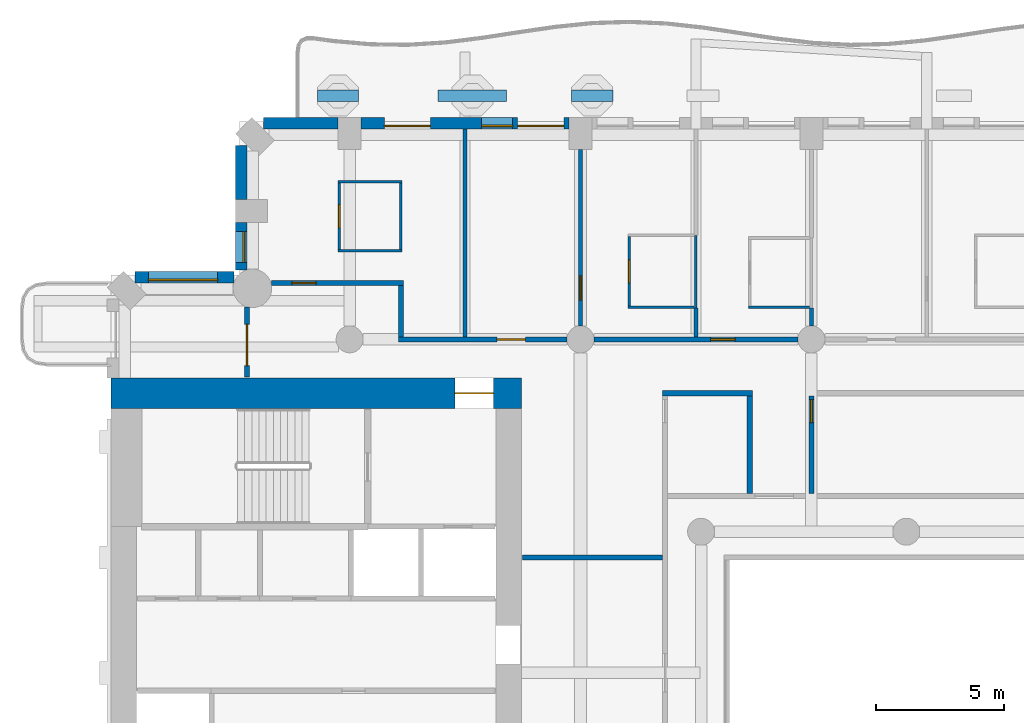
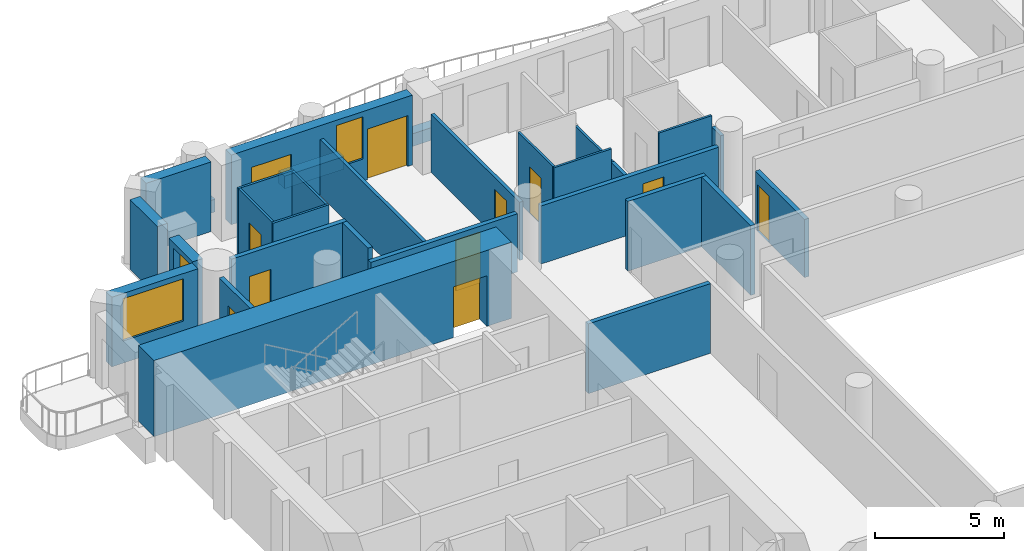
# One storey, part 8 of 20: 30 walls, 11 doors, 3 windows, 14 openings.
"""IFC4 building model written with IfcOpenShell, lengths in metres."""

from ifc_helpers import new_model, si_unit, direction, frame, frame_2d, origin, place, context, subcontext, project, spatial, rectangle, extrude, material, layer, layer_set, type_object, element, fill, save


model = new_model("IFC4")

# Units and contexts
model_context = context("Model", 3, precision=1e-05, world=origin(), true_north=direction((0.0, 1.0)))
body_context = subcontext(model_context, "Body", "Model", "MODEL_VIEW")
ifc_project = project(units=[si_unit("LENGTHUNIT", "METRE"), si_unit("AREAUNIT", "SQUARE_METRE"), si_unit("VOLUMEUNIT", "CUBIC_METRE"), si_unit("PLANEANGLEUNIT", "RADIAN"), si_unit("MASSUNIT", "GRAM", prefix="KILO")], contexts=[model_context])

# Site, building, storey
site_placement = place(None, origin())
site = spatial("IfcSite", under=ifc_project, at=site_placement, CompositionType="ELEMENT")
building_placement = place(site_placement, origin())
building = spatial("IfcBuilding", under=site, at=building_placement, Name="Cypress Arch Tower", CompositionType="ELEMENT")
storey_placement = place(building_placement, frame((0.0, 0.0, 116.699951171875)))
storey = spatial("IfcBuildingStorey", under=building, at=storey_placement, Name="L24", CompositionType="ELEMENT", Elevation=116.699951171875)

# Walls
ifc_material_1 = material(Name="Concrete C40/50, waterproofed", Category="concrete")
ifc_layer_1 = layer(ifc_material_1, 0.449951171875)
ifc_layer_set_1 = layer_set([ifc_layer_1], Name="Balcony planter wall PW450")
wall_type_1 = type_object("IfcWallType", Name="Balcony planter wall PW450", PredefinedType="SOLIDWALL", material=ifc_layer_set_1)
wall_1_placement = place(storey_placement, frame((-10.4375, 27.0, 0.0), z_axis=(0.0, 0.0, 1.0), x_axis=(-1.0, 0.0, 0.0)))
element("IfcWall", 1, at=wall_1_placement, inside=storey, type_object=wall_type_1, Name="Balcony planter wall L24-A08.4", PredefinedType="SOLIDWALL", context=body_context, shape_type="SweptSolid", body=[
    extrude(rectangle(XDim=1.612548828125, YDim=0.449951171875, at=frame_2d((0.80615234375, 0.0))), origin(), (0.0, 0.0, 1.0), 0.60009765625),
])
wall_2_placement = place(storey_placement, frame((-14.574951171875, 27.0, 0.0), z_axis=(0.0, 0.0, 1.0), x_axis=(-1.0, 0.0, 0.0)))
element("IfcWall", 2, at=wall_2_placement, inside=storey, type_object=wall_type_1, Name="Balcony planter wall L24-A08.5", PredefinedType="SOLIDWALL", context=body_context, shape_type="SweptSolid", body=[
    extrude(rectangle(XDim=2.675048828125, YDim=0.449951171875, at=frame_2d((1.33740234375, 0.0))), origin(), (0.0, 0.0, 1.0), 0.60009765625),
])
wall_3_placement = place(storey_placement, frame((-20.35009765625, 27.0, 0.0), z_axis=(0.0, 0.0, 1.0), x_axis=(-1.0, 0.0, 0.0)))
element("IfcWall", 3, at=wall_3_placement, inside=storey, type_object=wall_type_1, Name="Balcony planter wall L24-A08.6", PredefinedType="SOLIDWALL", context=body_context, shape_type="SweptSolid", body=[
    extrude(rectangle(XDim=1.599853515625, YDim=0.449951171875, at=frame_2d((0.7998046875, 0.0))), origin(), (0.0, 0.0, 1.0), 0.60009765625),
])

# Wall, openings, doors, window
ifc_material_2 = material(Name="Brick (red buff blend)", Category="masonry")
ifc_layer_2 = layer(ifc_material_2, 0.449951171875)
ifc_layer_set_2 = layer_set([ifc_layer_2], Name="Brick pier and spandrel wall BW450")
wall_type_2 = type_object("IfcWallType", Name="Brick pier and spandrel wall BW450", PredefinedType="SOLIDWALL", material=ifc_layer_set_2)
wall_4_placement = place(storey_placement, frame((-12.14990234375, 25.925048828125, 0.0), z_axis=(0.0, 0.0, 1.0), x_axis=(-1.0, 0.0, 0.0)))
wall_4 = element("IfcWall", 4, at=wall_4_placement, inside=storey, type_object=wall_type_2, Name="Brick wall L24 A08.3", PredefinedType="SOLIDWALL", context=body_context, shape_type="SweptSolid", body=[
    extrude(rectangle(XDim=8.10009765625, YDim=0.449951171875, at=frame_2d((4.050048828125, 0.0))), origin(), (0.0, 0.0, 1.0), 3.300048828125),
])
opening_1_placement = place(wall_4_placement, frame((0.199951171875, 0.0, 0.0)))
opening_1 = element("IfcOpeningElement", 5, at=opening_1_placement, cuts=wall_4, Name="Opening D-L24-A08.3.1", PredefinedType="OPENING", context=body_context, shape_type="SweptSolid", body=[
    extrude(rectangle(XDim=1.800048828125, YDim=2.39990234375, at=frame_2d((0.89990234375, 1.199951171875))), frame((0.0, 0.23486328125, 0.0), z_axis=(0.0, -1.0, 0.0), x_axis=(1.0, 0.0, 0.0)), (0.0, 0.0, 1.0), 0.469970703125),
])
opening_2_placement = place(wall_4_placement, frame((2.199951171875, 0.0, 1.050048828125)))
opening_2 = element("IfcOpeningElement", 6, at=opening_2_placement, cuts=wall_4, Name="Opening W120HD", PredefinedType="OPENING", context=body_context, shape_type="SweptSolid", body=[
    extrude(rectangle(XDim=1.199951171875, YDim=2.0, at=frame_2d((0.60009765625, 1.0))), frame((0.0, 0.23486328125, 0.0), z_axis=(0.0, -1.0, 0.0), x_axis=(1.0, 0.0, 0.0)), (0.0, 0.0, 1.0), 0.469970703125),
])
opening_3_placement = place(wall_4_placement, frame((5.39990234375, 0.0, 0.0)))
opening_3 = element("IfcOpeningElement", 7, at=opening_3_placement, cuts=wall_4, Name="Opening D-L24-A08.3.2", PredefinedType="OPENING", context=body_context, shape_type="SweptSolid", body=[
    extrude(rectangle(XDim=1.800048828125, YDim=2.39990234375, at=frame_2d((0.89990234375, 1.199951171875))), frame((0.0, 0.23486328125, 0.0), z_axis=(0.0, -1.0, 0.0), x_axis=(1.0, 0.0, 0.0)), (0.0, 0.0, 1.0), 0.469970703125),
])
ifc_material_3 = material(Name="Anodised aluminium, bronze finish, laminated low-emissivity double glazing, large-missile impact rated", Category="aluminium")
door_type_1 = type_object("IfcDoorType", Name="Balcony sliding door 1800x2400", OperationType="SLIDING_TO_LEFT", PredefinedType="DOOR", material=ifc_material_3)
door_1_placement = place(opening_1_placement, origin())
door_1 = element("IfcDoor", 8, at=door_1_placement, inside=storey, type_object=door_type_1, Name="Balcony door L24 A08.3.1", OperationType="SLIDING_TO_LEFT", OverallHeight=2.39990234375, OverallWidth=1.800048828125, PredefinedType="DOOR", context=body_context, shape_type="SweptSolid", body=[
    extrude(rectangle(XDim=1.800048828125, YDim=2.39990234375, at=frame_2d((0.89990234375, 1.199951171875))), frame((0.0, 0.1298828125, 0.0), z_axis=(0.0, -1.0, 0.0), x_axis=(1.0, 0.0, 0.0)), (0.0, 0.0, 1.0), 0.050048828125),
])
fill(opening_1, door_1)
door_2_placement = place(opening_3_placement, origin())
door_2 = element("IfcDoor", 9, at=door_2_placement, inside=storey, type_object=door_type_1, Name="Balcony door L24 A08.3.2", OperationType="SLIDING_TO_LEFT", OverallHeight=2.39990234375, OverallWidth=1.800048828125, PredefinedType="DOOR", context=body_context, shape_type="SweptSolid", body=[
    extrude(rectangle(XDim=1.800048828125, YDim=2.39990234375, at=frame_2d((0.89990234375, 1.199951171875))), frame((0.0, 0.1298828125, 0.0), z_axis=(0.0, -1.0, 0.0), x_axis=(1.0, 0.0, 0.0)), (0.0, 0.0, 1.0), 0.050048828125),
])
fill(opening_3, door_2)
ifc_material_4 = material(Name="Anodised aluminium, bronze finish, laminated low-emissivity double glazing, large-missile impact rated", Category="aluminium")
window_type_1 = type_object("IfcWindowType", Name="Window Hotel 1200x2000 debris-rated", PartitioningType="SINGLE_PANEL", PredefinedType="WINDOW", material=ifc_material_4)
window_1_placement = place(opening_2_placement, origin())
window_1 = element("IfcWindow", 10, at=window_1_placement, inside=storey, type_object=window_type_1, Name="Window L24 A08.3.1", OverallHeight=2.0, OverallWidth=1.199951171875, PartitioningType="SINGLE_PANEL", PredefinedType="WINDOW", context=body_context, shape_type="SweptSolid", body=[
    extrude(rectangle(XDim=1.199951171875, YDim=2.0, at=frame_2d((0.60009765625, 1.0))), frame((0.0, 0.135009765625, 0.0), z_axis=(0.0, -1.0, 0.0), x_axis=(1.0, 0.0, 0.0)), (0.0, 0.0, 1.0), 0.06005859375),
])
fill(opening_2, window_1)

# Walls
wall_5_placement = place(storey_placement, frame((-21.14990234375, 25.925048828125, 0.0), z_axis=(0.0, 0.0, 1.0), x_axis=(-1.0, 0.0, 0.0)))
element("IfcWall", 11, at=wall_5_placement, inside=storey, type_object=wall_type_2, Name="Brick wall L24 A08.4", PredefinedType="SOLIDWALL", context=body_context, shape_type="SweptSolid", body=[
    extrude(rectangle(XDim=2.913818359375, YDim=0.449951171875, at=frame_2d((1.45703125, 0.0))), origin(), (0.0, 0.0, 1.0), 3.300048828125),
])
wall_6_placement = place(storey_placement, frame((-24.925048828125, 25.063720703125, 0.0), z_axis=(0.0, 0.0, 1.0), x_axis=(0.0, -1.0, 0.0)))
element("IfcWall", 12, at=wall_6_placement, inside=storey, type_object=wall_type_2, Name="Brick wall L24 A09.0", PredefinedType="SOLIDWALL", context=body_context, shape_type="SweptSolid", body=[
    extrude(rectangle(XDim=2.11376953125, YDim=0.449951171875, at=frame_2d((1.056884765625, 0.0))), origin(), (0.0, 0.0, 1.0), 3.300048828125),
])

# Wall, opening, window
wall_7_placement = place(storey_placement, frame((-24.925048828125, 22.050048828125, 0.0), z_axis=(0.0, 0.0, 1.0), x_axis=(0.0, -1.0, 0.0)))
wall_7 = element("IfcWall", 13, at=wall_7_placement, inside=storey, type_object=wall_type_2, Name="Brick wall L24 A09.1", PredefinedType="SOLIDWALL", context=body_context, shape_type="SweptSolid", body=[
    extrude(rectangle(XDim=1.843017578125, YDim=0.449951171875, at=frame_2d((0.92138671875, 0.0))), origin(), (0.0, 0.0, 1.0), 3.300048828125),
])
opening_4_placement = place(wall_7_placement, frame((0.35009765625, 0.0, 1.050048828125)))
opening_4 = element("IfcOpeningElement", 14, at=opening_4_placement, cuts=wall_7, Name="Opening W120H", PredefinedType="OPENING", context=body_context, shape_type="SweptSolid", body=[
    extrude(rectangle(XDim=1.199951171875, YDim=2.0, at=frame_2d((0.60009765625, 1.0))), frame((0.0, 0.23486328125, 0.0), z_axis=(0.0, -1.0, 0.0), x_axis=(1.0, 0.0, 0.0)), (0.0, 0.0, 1.0), 0.469970703125),
])
ifc_material_5 = material(Name="Anodised aluminium, bronze finish, clear low-emissivity double glazing", Category="aluminium")
window_type_2 = type_object("IfcWindowType", Name="Window Hotel 1200x2000", PartitioningType="SINGLE_PANEL", PredefinedType="WINDOW", material=ifc_material_5)
window_2_placement = place(opening_4_placement, origin())
window_2 = element("IfcWindow", 15, at=window_2_placement, inside=storey, type_object=window_type_2, Name="Window L24 A09.1.1", OverallHeight=2.0, OverallWidth=1.199951171875, PartitioningType="SINGLE_PANEL", PredefinedType="WINDOW", context=body_context, shape_type="SweptSolid", body=[
    extrude(rectangle(XDim=1.199951171875, YDim=2.0, at=frame_2d((0.60009765625, 1.0))), frame((0.0, 0.135009765625, 0.0), z_axis=(0.0, -1.0, 0.0), x_axis=(1.0, 0.0, 0.0)), (0.0, 0.0, 1.0), 0.06005859375),
])
fill(opening_4, window_2)

wall_8_placement = place(storey_placement, frame((-25.20703125, 19.925048828125, 0.0), z_axis=(0.0, 0.0, 1.0), x_axis=(-1.0, 0.0, 0.0)))
wall_8 = element("IfcWall", 16, at=wall_8_placement, inside=storey, type_object=wall_type_2, Name="Brick wall L24 A10.0", PredefinedType="SOLIDWALL", context=body_context, shape_type="SweptSolid", body=[
    extrude(rectangle(XDim=3.856689453125, YDim=0.449951171875, at=frame_2d((1.92822265625, 0.0))), origin(), (0.0, 0.0, 1.0), 3.300048828125),
])
opening_5_placement = place(wall_8_placement, frame((0.64306640625, 0.0, 1.050048828125)))
opening_5 = element("IfcOpeningElement", 17, at=opening_5_placement, cuts=wall_8, Name="Opening W270H", PredefinedType="OPENING", context=body_context, shape_type="SweptSolid", body=[
    extrude(rectangle(XDim=2.699951171875, YDim=2.0, at=frame_2d((1.35009765625, 1.0))), frame((0.0, 0.23486328125, 0.0), z_axis=(0.0, -1.0, 0.0), x_axis=(1.0, 0.0, 0.0)), (0.0, 0.0, 1.0), 0.469970703125),
])
ifc_material_6 = material(Name="Anodised aluminium, bronze finish, clear low-emissivity double glazing", Category="aluminium")
window_type_3 = type_object("IfcWindowType", Name="Window Hotel 2700x2000", PartitioningType="SINGLE_PANEL", PredefinedType="WINDOW", material=ifc_material_6)
window_3_placement = place(opening_5_placement, origin())
window_3 = element("IfcWindow", 18, at=window_3_placement, inside=storey, type_object=window_type_3, Name="Window L24 A10.0.1", OverallHeight=2.0, OverallWidth=2.699951171875, PartitioningType="SINGLE_PANEL", PredefinedType="WINDOW", context=body_context, shape_type="SweptSolid", body=[
    extrude(rectangle(XDim=2.699951171875, YDim=2.0, at=frame_2d((1.35009765625, 1.0))), frame((0.0, 0.135009765625, 0.0), z_axis=(0.0, -1.0, 0.0), x_axis=(1.0, 0.0, 0.0)), (0.0, 0.0, 1.0), 0.06005859375),
])
fill(opening_5, window_3)

# Wall, opening, door
ifc_material_7 = material(Name="Concrete C80/95", Category="concrete")
ifc_layer_3 = layer(ifc_material_7, 1.199951171875)
ifc_layer_set_3 = layer_set([ifc_layer_3], Name="Core wall CW1200 C80/95")
wall_type_3 = type_object("IfcWallType", Name="Core wall CW1200 C80/95", PredefinedType="SHEAR", material=ifc_layer_set_3)
wall_9_placement = place(storey_placement, frame((-30.0, 15.39990234375, 0.0), z_axis=(0.0, 0.0, 1.0), x_axis=(1.0, 0.0, 0.0)))
wall_9 = element("IfcWall", 19, at=wall_9_placement, inside=storey, type_object=wall_type_3, Name="Core wall", PredefinedType="SHEAR", context=body_context, shape_type="SweptSolid", body=[
    extrude(rectangle(XDim=16.0, YDim=1.199951171875, at=frame_2d((8.0, 0.0))), origin(), (0.0, 0.0, 1.0), 3.60009765625),
])
opening_6_placement = place(wall_9_placement, frame((13.39990234375, 0.0, 0.0)))
opening_6 = element("IfcOpeningElement", 20, at=opening_6_placement, cuts=wall_9, Name="Opening D07", PredefinedType="OPENING", context=body_context, shape_type="SweptSolid", body=[
    extrude(rectangle(XDim=1.5, YDim=2.39990234375, at=frame_2d((0.75, 1.199951171875))), frame((0.0, 0.60986328125, 0.0), z_axis=(0.0, -1.0, 0.0), x_axis=(1.0, 0.0, 0.0)), (0.0, 0.0, 1.0), 1.219970703125),
])
ifc_material_8 = material(Name="Steel framed glazed door, fire resisting", Category="steel")
door_type_2 = type_object("IfcDoorType", Name="Lobby door D07 1500x2400", OperationType="DOUBLE_DOOR_SINGLE_SWING", PredefinedType="DOOR", material=ifc_material_8)
door_3_placement = place(opening_6_placement, origin())
door_3 = element("IfcDoor", 21, at=door_3_placement, inside=storey, type_object=door_type_2, Name="Lobby door", OperationType="DOUBLE_DOOR_SINGLE_SWING", OverallHeight=2.39990234375, OverallWidth=1.5, PredefinedType="DOOR", context=body_context, shape_type="SweptSolid", body=[
    extrude(rectangle(XDim=1.5, YDim=2.39990234375, at=frame_2d((0.75, 1.199951171875))), frame((0.0, 0.02490234375, 0.0), z_axis=(0.0, -1.0, 0.0), x_axis=(1.0, 0.0, 0.0)), (0.0, 0.0, 1.0), 0.050048828125),
])
fill(opening_6, door_3)

ifc_material_9 = material(Name="Concrete blockwork, plastered, rated", Category="masonry")
ifc_layer_4 = layer(ifc_material_9, 0.199951171875)
ifc_layer_set_4 = layer_set([ifc_layer_4], Name="Corridor wall FW200")
wall_type_4 = type_object("IfcWallType", Name="Corridor wall FW200", PredefinedType="PARTITIONING", material=ifc_layer_set_4)
wall_10_placement = place(storey_placement, frame((-24.699951171875, 16.030029296875, 0.0), z_axis=(0.0, 0.0, 1.0), x_axis=(0.0, 1.0, 0.0)))
wall_10 = element("IfcWall", 22, at=wall_10_placement, inside=storey, type_object=wall_type_4, Name="Corridor wall", PredefinedType="PARTITIONING", context=body_context, shape_type="SweptSolid", body=[
    extrude(rectangle(XDim=2.72216796875, YDim=0.199951171875, at=frame_2d((1.361083984375, 0.0))), origin(), (0.0, 0.0, 1.0), 3.300048828125),
])
opening_7_placement = place(wall_10_placement, frame((0.449951171875, 0.0, 0.0)))
opening_7 = element("IfcOpeningElement", 23, at=opening_7_placement, cuts=wall_10, Name="Opening D10", PredefinedType="OPENING", context=body_context, shape_type="SweptSolid", body=[
    extrude(rectangle(XDim=1.60009765625, YDim=2.39990234375, at=frame_2d((0.800048828125, 1.199951171875))), frame((0.0, 0.10986328125, 0.0), z_axis=(0.0, -1.0, 0.0), x_axis=(1.0, 0.0, 0.0)), (0.0, 0.0, 1.0), 0.219970703125),
])
ifc_material_10 = material(Name="Black aluminium glazed door", Category="aluminium")
door_type_3 = type_object("IfcDoorType", Name="Amenity door D10 1600x2400", OperationType="DOUBLE_DOOR_SINGLE_SWING", PredefinedType="DOOR", material=ifc_material_10)
door_4_placement = place(opening_7_placement, origin())
door_4 = element("IfcDoor", 24, at=door_4_placement, inside=storey, type_object=door_type_3, Name="Amenity door", OperationType="DOUBLE_DOOR_SINGLE_SWING", OverallHeight=2.39990234375, OverallWidth=1.60009765625, PredefinedType="DOOR", context=body_context, shape_type="SweptSolid", body=[
    extrude(rectangle(XDim=1.60009765625, YDim=2.39990234375, at=frame_2d((0.800048828125, 1.199951171875))), frame((0.0, 0.02490234375, 0.0), z_axis=(0.0, -1.0, 0.0), x_axis=(1.0, 0.0, 0.0)), (0.0, 0.0, 1.0), 0.050048828125),
])
fill(opening_7, door_4)

wall_11_placement = place(storey_placement, frame((-23.752197265625, 19.699951171875, 0.0), z_axis=(0.0, 0.0, 1.0), x_axis=(1.0, 0.0, 0.0)))
wall_11 = element("IfcWall", 25, at=wall_11_placement, inside=storey, type_object=wall_type_4, Name="Corridor wall", PredefinedType="PARTITIONING", context=body_context, shape_type="SweptSolid", body=[
    extrude(rectangle(XDim=5.152099609375, YDim=0.199951171875, at=frame_2d((2.576171875, 0.0))), origin(), (0.0, 0.0, 1.0), 3.300048828125),
])
opening_8_placement = place(wall_11_placement, frame((0.800048828125, 0.0, 0.0)))
opening_8 = element("IfcOpeningElement", 26, at=opening_8_placement, cuts=wall_11, Name="Opening D02", PredefinedType="OPENING", context=body_context, shape_type="SweptSolid", body=[
    extrude(rectangle(XDim=0.949951171875, YDim=2.199951171875, at=frame_2d((0.47509765625, 1.10009765625))), frame((0.0, 0.10986328125, 0.0), z_axis=(0.0, -1.0, 0.0), x_axis=(1.0, 0.0, 0.0)), (0.0, 0.0, 1.0), 0.219970703125),
])
ifc_material_11 = material(Name="Timber flush door, fire resisting", Category="wood")
door_type_4 = type_object("IfcDoorType", Name="Room door D02 950x2200", OperationType="SINGLE_SWING_LEFT", PredefinedType="DOOR", material=ifc_material_11)
door_5_placement = place(opening_8_placement, origin())
door_5 = element("IfcDoor", 27, at=door_5_placement, inside=storey, type_object=door_type_4, Name="Room door", OperationType="SINGLE_SWING_LEFT", OverallHeight=2.199951171875, OverallWidth=0.949951171875, PredefinedType="DOOR", context=body_context, shape_type="SweptSolid", body=[
    extrude(rectangle(XDim=0.949951171875, YDim=2.199951171875, at=frame_2d((0.47509765625, 1.10009765625))), frame((0.0, 0.02490234375, 0.0), z_axis=(0.0, -1.0, 0.0), x_axis=(1.0, 0.0, 0.0)), (0.0, 0.0, 1.0), 0.050048828125),
])
fill(opening_8, door_5)

# Wall
wall_12_placement = place(storey_placement, frame((-18.699951171875, 17.60009765625, 0.0), z_axis=(0.0, 0.0, 1.0), x_axis=(0.0, 1.0, 0.0)))
element("IfcWall", 28, at=wall_12_placement, inside=storey, type_object=wall_type_4, Name="Corridor wall", PredefinedType="PARTITIONING", context=body_context, shape_type="SweptSolid", body=[
    extrude(rectangle(XDim=2.0, YDim=0.199951171875, at=frame_2d((1.0, 0.0))), origin(), (0.0, 0.0, 1.0), 3.300048828125),
])

# Wall, opening, door
wall_13_placement = place(storey_placement, frame((-18.800048828125, 17.5, 0.0), z_axis=(0.0, 0.0, 1.0), x_axis=(1.0, 0.0, 0.0)))
wall_13 = element("IfcWall", 29, at=wall_13_placement, inside=storey, type_object=wall_type_4, Name="Corridor wall", PredefinedType="PARTITIONING", context=body_context, shape_type="SweptSolid", body=[
    extrude(rectangle(XDim=6.574951171875, YDim=0.199951171875, at=frame_2d((3.28759765625, 0.0))), origin(), (0.0, 0.0, 1.0), 2.75),
])
opening_9_placement = place(wall_13_placement, frame((3.85009765625, 0.0, 0.0)))
opening_9 = element("IfcOpeningElement", 30, at=opening_9_placement, cuts=wall_13, Name="Opening D01", PredefinedType="OPENING", context=body_context, shape_type="SweptSolid", body=[
    extrude(rectangle(XDim=1.10009765625, YDim=2.39990234375, at=frame_2d((0.550048828125, 1.199951171875))), frame((0.0, 0.10986328125, 0.0), z_axis=(0.0, -1.0, 0.0), x_axis=(1.0, 0.0, 0.0)), (0.0, 0.0, 1.0), 0.219970703125),
])
ifc_material_12 = material(Name="Timber flush door, fire resisting, self-closing", Category="wood")
door_type_5 = type_object("IfcDoorType", Name="Unit entrance door D01 1100x2400", OperationType="SINGLE_SWING_LEFT", PredefinedType="DOOR", material=ifc_material_12)
door_6_placement = place(opening_9_placement, origin())
door_6 = element("IfcDoor", 31, at=door_6_placement, inside=storey, type_object=door_type_5, Name="Unit entrance door", OperationType="SINGLE_SWING_LEFT", OverallHeight=2.39990234375, OverallWidth=1.10009765625, PredefinedType="DOOR", context=body_context, shape_type="SweptSolid", body=[
    extrude(rectangle(XDim=1.10009765625, YDim=2.39990234375, at=frame_2d((0.550048828125, 1.199951171875))), frame((0.0, 0.02490234375, 0.0), z_axis=(0.0, -1.0, 0.0), x_axis=(1.0, 0.0, 0.0)), (0.0, 0.0, 1.0), 0.050048828125),
])
fill(opening_9, door_6)

wall_14_placement = place(storey_placement, frame((-11.175048828125, 17.5, 0.0), z_axis=(0.0, 0.0, 1.0), x_axis=(1.0, 0.0, 0.0)))
wall_14 = element("IfcWall", 32, at=wall_14_placement, inside=storey, type_object=wall_type_4, Name="Corridor wall", PredefinedType="PARTITIONING", context=body_context, shape_type="SweptSolid", body=[
    extrude(rectangle(XDim=7.949951171875, YDim=0.199951171875, at=frame_2d((3.97509765625, 0.0))), origin(), (0.0, 0.0, 1.0), 2.75),
])
opening_10_placement = place(wall_14_placement, frame((4.550048828125, 0.0, 0.0)))
opening_10 = element("IfcOpeningElement", 33, at=opening_10_placement, cuts=wall_14, Name="Opening D02", PredefinedType="OPENING", context=body_context, shape_type="SweptSolid", body=[
    extrude(rectangle(XDim=0.949951171875, YDim=2.199951171875, at=frame_2d((0.47509765625, 1.10009765625))), frame((0.0, 0.10986328125, 0.0), z_axis=(0.0, -1.0, 0.0), x_axis=(1.0, 0.0, 0.0)), (0.0, 0.0, 1.0), 0.219970703125),
])
door_7_placement = place(opening_10_placement, origin())
door_7 = element("IfcDoor", 34, at=door_7_placement, inside=storey, type_object=door_type_4, Name="Room door", OperationType="SINGLE_SWING_LEFT", OverallHeight=2.199951171875, OverallWidth=0.949951171875, PredefinedType="DOOR", context=body_context, shape_type="SweptSolid", body=[
    extrude(rectangle(XDim=0.949951171875, YDim=2.199951171875, at=frame_2d((0.47509765625, 1.10009765625))), frame((0.0, 0.02490234375, 0.0), z_axis=(0.0, -1.0, 0.0), x_axis=(1.0, 0.0, 0.0)), (0.0, 0.0, 1.0), 0.050048828125),
])
fill(opening_10, door_7)

# Walls
wall_15_placement = place(storey_placement, frame((-13.969970703125, 9.0, 0.0), z_axis=(0.0, 0.0, 1.0), x_axis=(1.0, 0.0, 0.0)))
element("IfcWall", 35, at=wall_15_placement, inside=storey, type_object=wall_type_4, Name="Corridor wall", PredefinedType="PARTITIONING", context=body_context, shape_type="SweptSolid", body=[
    extrude(rectangle(XDim=5.469970703125, YDim=0.199951171875, at=frame_2d((2.73486328125, 0.0))), origin(), (0.0, 0.0, 1.0), 3.300048828125),
])
wall_16_placement = place(storey_placement, frame((-8.5, 15.39990234375, 0.0), z_axis=(0.0, 0.0, 1.0), x_axis=(1.0, 0.0, 0.0)))
element("IfcWall", 36, at=wall_16_placement, inside=storey, type_object=wall_type_4, Name="Corridor wall", PredefinedType="PARTITIONING", context=body_context, shape_type="SweptSolid", body=[
    extrude(rectangle(XDim=3.5, YDim=0.199951171875, at=frame_2d((1.75, 0.0))), origin(), (0.0, 0.0, 1.0), 3.300048828125),
])
wall_17_placement = place(storey_placement, frame((-5.10009765625, 11.5, 0.0), z_axis=(0.0, 0.0, 1.0), x_axis=(0.0, 1.0, 0.0)))
element("IfcWall", 37, at=wall_17_placement, inside=storey, type_object=wall_type_4, Name="Corridor wall", PredefinedType="PARTITIONING", context=body_context, shape_type="SweptSolid", body=[
    extrude(rectangle(XDim=3.800048828125, YDim=0.199951171875, at=frame_2d((1.89990234375, 0.0))), origin(), (0.0, 0.0, 1.0), 3.300048828125),
])

# Wall, opening, door
wall_18_placement = place(storey_placement, frame((-2.699951171875, 11.5, 0.0), z_axis=(0.0, 0.0, 1.0), x_axis=(0.0, 1.0, 0.0)))
wall_18 = element("IfcWall", 38, at=wall_18_placement, inside=storey, type_object=wall_type_4, Name="Corridor wall", PredefinedType="PARTITIONING", context=body_context, shape_type="SweptSolid", body=[
    extrude(rectangle(XDim=3.800048828125, YDim=0.199951171875, at=frame_2d((1.89990234375, 0.0))), origin(), (0.0, 0.0, 1.0), 2.75),
])
opening_11_placement = place(wall_18_placement, frame((2.75, 0.0, 0.0)))
opening_11 = element("IfcOpeningElement", 39, at=opening_11_placement, cuts=wall_18, Name="Opening D05", PredefinedType="OPENING", context=body_context, shape_type="SweptSolid", body=[
    extrude(rectangle(XDim=0.89990234375, YDim=2.199951171875, at=frame_2d((0.449951171875, 1.10009765625))), frame((0.0, 0.10986328125, 0.0), z_axis=(0.0, -1.0, 0.0), x_axis=(1.0, 0.0, 0.0)), (0.0, 0.0, 1.0), 0.219970703125),
])
ifc_material_13 = material(Name="Timber flush door", Category="wood")
door_type_6 = type_object("IfcDoorType", Name="Service door D05 900x2200", OperationType="SINGLE_SWING_LEFT", PredefinedType="DOOR", material=ifc_material_13)
door_8_placement = place(opening_11_placement, origin())
door_8 = element("IfcDoor", 40, at=door_8_placement, inside=storey, type_object=door_type_6, Name="Service door", OperationType="SINGLE_SWING_LEFT", OverallHeight=2.199951171875, OverallWidth=0.89990234375, PredefinedType="DOOR", context=body_context, shape_type="SweptSolid", body=[
    extrude(rectangle(XDim=0.89990234375, YDim=2.199951171875, at=frame_2d((0.449951171875, 1.10009765625))), frame((0.0, 0.02490234375, 0.0), z_axis=(0.0, -1.0, 0.0), x_axis=(1.0, 0.0, 0.0)), (0.0, 0.0, 1.0), 0.050048828125),
])
fill(opening_11, door_8)

# Wall
ifc_material_14 = material(Name="Blockwork, plastered both sides", Category="masonry")
ifc_layer_5 = layer(ifc_material_14, 0.14990234375)
ifc_layer_set_5 = layer_set([ifc_layer_5], Name="Partition PW150")
wall_type_5 = type_object("IfcWallType", Name="Partition PW150", PredefinedType="PARTITIONING", material=ifc_layer_set_5)
wall_19_placement = place(storey_placement, frame((-16.199951171875, 17.60009765625, 0.0), z_axis=(0.0, 0.0, 1.0), x_axis=(0.0, 1.0, 0.0)))
element("IfcWall", 41, at=wall_19_placement, inside=storey, type_object=wall_type_5, Name="Partition", PredefinedType="PARTITIONING", context=body_context, shape_type="SweptSolid", body=[
    extrude(rectangle(XDim=8.099853515625, YDim=0.14990234375, at=frame_2d((4.0498046875, 0.0))), origin(), (0.0, 0.0, 1.0), 2.650146484375),
])

# Wall, opening, door
wall_20_placement = place(storey_placement, frame((-11.699951171875, 18.02490234375, 0.0), z_axis=(0.0, 0.0, 1.0), x_axis=(0.0, 1.0, 0.0)))
wall_20 = element("IfcWall", 42, at=wall_20_placement, inside=storey, type_object=wall_type_5, Name="Partition", PredefinedType="PARTITIONING", context=body_context, shape_type="SweptSolid", body=[
    extrude(rectangle(XDim=6.875, YDim=0.14990234375, at=frame_2d((3.4375, 0.0))), origin(), (0.0, 0.0, 1.0), 2.75),
])
opening_12_placement = place(wall_20_placement, frame((1.0, 0.0, 0.0)))
opening_12 = element("IfcOpeningElement", 43, at=opening_12_placement, cuts=wall_20, Name="Opening D12", PredefinedType="OPENING", context=body_context, shape_type="SweptSolid", body=[
    extrude(rectangle(XDim=0.949951171875, YDim=2.199951171875, at=frame_2d((0.47509765625, 1.10009765625))), frame((0.0, 0.0849609375, 0.0), z_axis=(0.0, -1.0, 0.0), x_axis=(1.0, 0.0, 0.0)), (0.0, 0.0, 1.0), 0.169921875),
])
ifc_material_15 = material(Name="Timber flush door", Category="wood")
door_type_7 = type_object("IfcDoorType", Name="Room door D12 950x2200", OperationType="SINGLE_SWING_LEFT", PredefinedType="DOOR", material=ifc_material_15)
door_9_placement = place(opening_12_placement, origin())
door_9 = element("IfcDoor", 44, at=door_9_placement, inside=storey, type_object=door_type_7, Name="Room door", OperationType="SINGLE_SWING_LEFT", OverallHeight=2.199951171875, OverallWidth=0.949951171875, PredefinedType="DOOR", context=body_context, shape_type="SweptSolid", body=[
    extrude(rectangle(XDim=0.949951171875, YDim=2.199951171875, at=frame_2d((0.47509765625, 1.10009765625))), frame((0.0, 0.02490234375, 0.0), z_axis=(0.0, -1.0, 0.0), x_axis=(1.0, 0.0, 0.0)), (0.0, 0.0, 1.0), 0.050048828125),
])
fill(opening_12, door_9)

# Walls
wall_21_placement = place(storey_placement, frame((-7.199951171875, 17.60009765625, 0.0), z_axis=(0.0, 0.0, 1.0), x_axis=(0.0, 1.0, 0.0)))
element("IfcWall", 45, at=wall_21_placement, inside=storey, type_object=wall_type_5, Name="Partition", PredefinedType="PARTITIONING", context=body_context, shape_type="SweptSolid", body=[
    extrude(rectangle(XDim=1.1298828125, YDim=0.14990234375, at=frame_2d((0.56494140625, 0.0))), origin(), (0.0, 0.0, 1.0), 2.650146484375),
])
wall_22_placement = place(storey_placement, frame((-2.699951171875, 18.02490234375, 0.0), z_axis=(0.0, 0.0, 1.0), x_axis=(0.0, 1.0, 0.0)))
element("IfcWall", 46, at=wall_22_placement, inside=storey, type_object=wall_type_5, Name="Partition", PredefinedType="PARTITIONING", context=body_context, shape_type="SweptSolid", body=[
    extrude(rectangle(XDim=0.705078125, YDim=0.14990234375, at=frame_2d((0.3525390625, 0.0))), origin(), (0.0, 0.0, 1.0), 2.75),
])

# Wall, opening, door
ifc_material_16 = material(Name="Moisture resistant board on steel studs, tiled", Category="steel")
ifc_layer_6 = layer(ifc_material_16, 0.10009765625)
ifc_layer_set_6 = layer_set([ifc_layer_6], Name="Wet wall PW100")
wall_type_6 = type_object("IfcWallType", Name="Wet wall PW100", PredefinedType="PARTITIONING", material=ifc_layer_set_6)
wall_23_placement = place(storey_placement, frame((-21.10009765625, 21.0, 0.0), z_axis=(0.0, 0.0, 1.0), x_axis=(0.0, 1.0, 0.0)))
wall_23 = element("IfcWall", 47, at=wall_23_placement, inside=storey, type_object=wall_type_6, Name="Wet wall", PredefinedType="PARTITIONING", context=body_context, shape_type="SweptSolid", body=[
    extrude(rectangle(XDim=2.60009765625, YDim=0.10009765625, at=frame_2d((1.300048828125, 0.0))), origin(), (0.0, 0.0, 1.0), 3.300048828125),
])
opening_13_placement = place(wall_23_placement, frame((0.85009765625, 0.0, 0.0)))
opening_13 = element("IfcOpeningElement", 48, at=opening_13_placement, cuts=wall_23, Name="Opening D03", PredefinedType="OPENING", context=body_context, shape_type="SweptSolid", body=[
    extrude(rectangle(XDim=0.89990234375, YDim=2.199951171875, at=frame_2d((0.449951171875, 1.10009765625))), frame((0.0, 0.06005859375, 0.0), z_axis=(0.0, -1.0, 0.0), x_axis=(1.0, 0.0, 0.0)), (0.0, 0.0, 1.0), 0.1201171875),
])
ifc_material_17 = material(Name="Timber flush door, moisture resistant", Category="wood")
door_type_8 = type_object("IfcDoorType", Name="Bathroom door D03 900x2200", OperationType="SINGLE_SWING_LEFT", PredefinedType="DOOR", material=ifc_material_17)
door_10_placement = place(opening_13_placement, origin())
door_10 = element("IfcDoor", 49, at=door_10_placement, inside=storey, type_object=door_type_8, Name="Bathroom door", OperationType="SINGLE_SWING_LEFT", OverallHeight=2.199951171875, OverallWidth=0.89990234375, PredefinedType="DOOR", context=body_context, shape_type="SweptSolid", body=[
    extrude(rectangle(XDim=0.89990234375, YDim=2.199951171875, at=frame_2d((0.449951171875, 1.10009765625))), frame((0.0, 0.02490234375, 0.0), z_axis=(0.0, -1.0, 0.0), x_axis=(1.0, 0.0, 0.0)), (0.0, 0.0, 1.0), 0.050048828125),
])
fill(opening_13, door_10)

# Walls
for number, where, z_axis, x_axis, name in (
    (50, (-21.14990234375, 20.949951171875, 0.0), (0.0, 0.0, 1.0), (1.0, 0.0, 0.0), "Wet wall"),
    (51, (-21.14990234375, 23.64990234375, 0.0), (0.0, 0.0, 1.0), (1.0, 0.0, 0.0), "Wet wall"),
):
    element("IfcWall", number, at=place(storey_placement, frame(where, z_axis=z_axis, x_axis=x_axis)), inside=storey, type_object=wall_type_6, Name=name, PredefinedType="PARTITIONING", context=body_context, shape_type="SweptSolid", body=[
        extrude(rectangle(XDim=2.5, YDim=0.10009765625, at=frame_2d((1.25, 0.0))), origin(), (0.0, 0.0, 1.0), 3.300048828125),
    ])
wall_24_placement = place(storey_placement, frame((-18.699951171875, 21.0, 0.0), z_axis=(0.0, 0.0, 1.0), x_axis=(0.0, 1.0, 0.0)))
element("IfcWall", 52, at=wall_24_placement, inside=storey, type_object=wall_type_6, Name="Wet wall", PredefinedType="PARTITIONING", context=body_context, shape_type="SweptSolid", body=[
    extrude(rectangle(XDim=2.60009765625, YDim=0.10009765625, at=frame_2d((1.300048828125, 0.0))), origin(), (0.0, 0.0, 1.0), 3.300048828125),
])

# Wall, opening, door
wall_25_placement = place(storey_placement, frame((-9.7958984375, 18.800048828125, 0.0), z_axis=(0.0, 0.0, 1.0), x_axis=(0.0, 1.0, 0.0)))
wall_25 = element("IfcWall", 53, at=wall_25_placement, inside=storey, type_object=wall_type_6, Name="Wet wall", PredefinedType="PARTITIONING", context=body_context, shape_type="SweptSolid", body=[
    extrude(rectangle(XDim=2.699951171875, YDim=0.10009765625, at=frame_2d((1.35009765625, 0.0))), origin(), (0.0, 0.0, 1.0), 3.300048828125),
])
opening_14_placement = place(wall_25_placement, frame((0.89990234375, 0.0, 0.0)))
opening_14 = element("IfcOpeningElement", 54, at=opening_14_placement, cuts=wall_25, Name="Opening D03", PredefinedType="OPENING", context=body_context, shape_type="SweptSolid", body=[
    extrude(rectangle(XDim=0.89990234375, YDim=2.199951171875, at=frame_2d((0.449951171875, 1.10009765625))), frame((0.0, 0.06005859375, 0.0), z_axis=(0.0, -1.0, 0.0), x_axis=(1.0, 0.0, 0.0)), (0.0, 0.0, 1.0), 0.1201171875),
])
door_11_placement = place(opening_14_placement, origin())
door_11 = element("IfcDoor", 55, at=door_11_placement, inside=storey, type_object=door_type_8, Name="Bathroom door", OperationType="SINGLE_SWING_LEFT", OverallHeight=2.199951171875, OverallWidth=0.89990234375, PredefinedType="DOOR", context=body_context, shape_type="SweptSolid", body=[
    extrude(rectangle(XDim=0.89990234375, YDim=2.199951171875, at=frame_2d((0.449951171875, 1.10009765625))), frame((0.0, 0.02490234375, 0.0), z_axis=(0.0, -1.0, 0.0), x_axis=(1.0, 0.0, 0.0)), (0.0, 0.0, 1.0), 0.050048828125),
])
fill(opening_14, door_11)

# Walls
wall_26_placement = place(storey_placement, frame((-9.845947265625, 18.75, 0.0), z_axis=(0.0, 0.0, 1.0), x_axis=(1.0, 0.0, 0.0)))
element("IfcWall", 56, at=wall_26_placement, inside=storey, type_object=wall_type_6, Name="Wet wall", PredefinedType="PARTITIONING", context=body_context, shape_type="SweptSolid", body=[
    extrude(rectangle(XDim=2.571044921875, YDim=0.10009765625, at=frame_2d((1.28564453125, 0.0))), origin(), (0.0, 0.0, 1.0), 3.300048828125),
])
wall_27_placement = place(storey_placement, frame((-7.199951171875, 18.72998046875, 0.0), z_axis=(0.0, 0.0, 1.0), x_axis=(0.0, 1.0, 0.0)))
element("IfcWall", 57, at=wall_27_placement, inside=storey, type_object=wall_type_6, Name="Wet wall", PredefinedType="PARTITIONING", context=body_context, shape_type="SweptSolid", body=[
    extrude(rectangle(XDim=2.820068359375, YDim=0.10009765625, at=frame_2d((1.41015625, 0.0))), origin(), (0.0, 0.0, 1.0), 2.650146484375),
])
wall_28_placement = place(storey_placement, frame((-5.14599609375, 18.75, 0.0), z_axis=(0.0, 0.0, 1.0), x_axis=(1.0, 0.0, 0.0)))
element("IfcWall", 58, at=wall_28_placement, inside=storey, type_object=wall_type_6, Name="Wet wall", PredefinedType="PARTITIONING", context=body_context, shape_type="SweptSolid", body=[
    extrude(rectangle(XDim=2.37109375, YDim=0.10009765625, at=frame_2d((1.185546875, 0.0))), origin(), (0.0, 0.0, 1.0), 3.300048828125),
])

save(model, "model.ifc")
